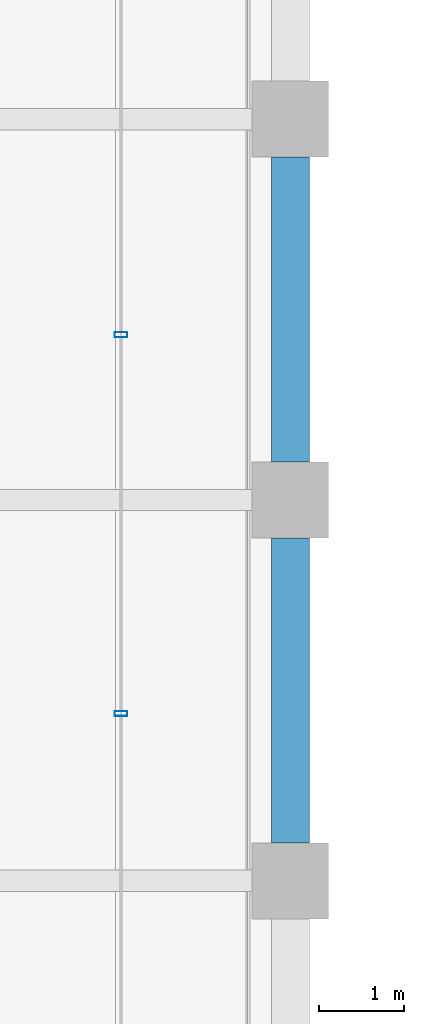
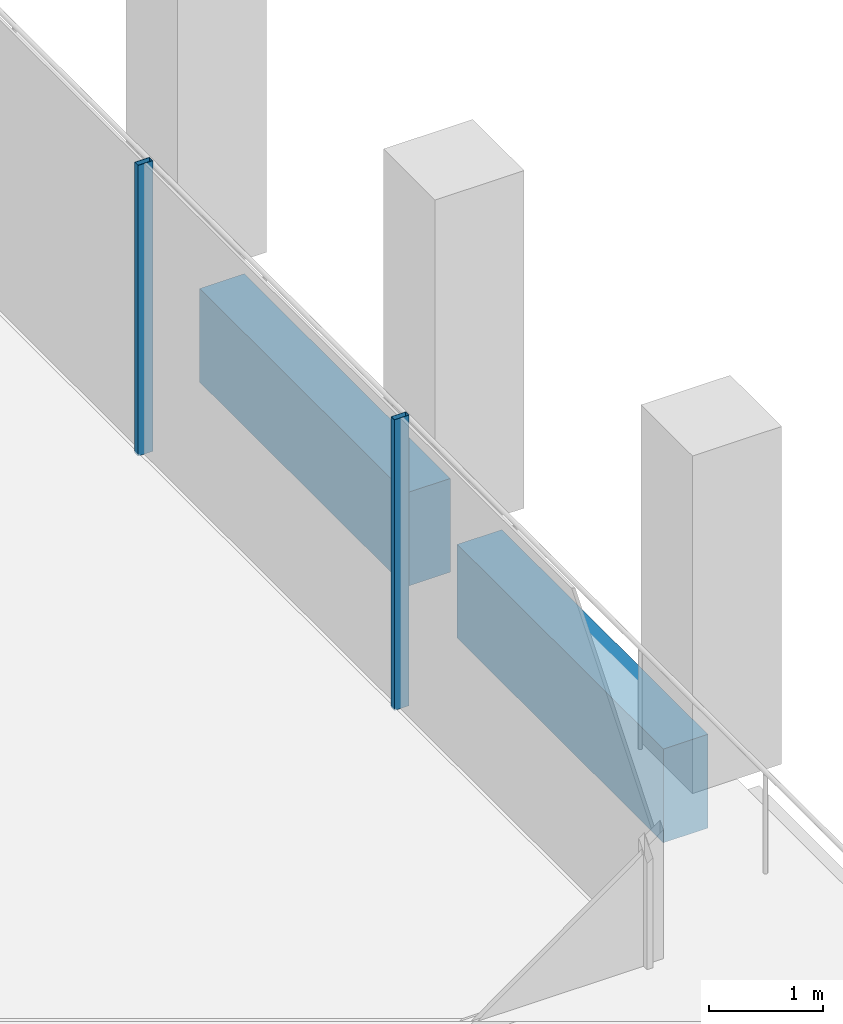
# One storey, part 15 of 40: 2 beams, 2 members, 1 element without a shape of its own.
"""IFC4 building model written with IfcOpenShell, lengths in metres."""

from ifc_helpers import new_model, si_unit, direction, frame, origin, origin_2d, place, context, subcontext, project, spatial, rectangle, hollow_rectangle, extrude, material, material_profile, profile_set, type_object, element, aggregate, save


model = new_model("IFC4")

# Units and contexts
model_context = context("Model", 3, precision=1e-05, world=origin(), true_north=direction((0.0, 1.0)))
body_context = subcontext(model_context, "Body", "Model", "MODEL_VIEW")
ifc_project = project(units=[si_unit("LENGTHUNIT", "METRE"), si_unit("AREAUNIT", "SQUARE_METRE"), si_unit("VOLUMEUNIT", "CUBIC_METRE"), si_unit("PLANEANGLEUNIT", "RADIAN"), si_unit("MASSUNIT", "GRAM", prefix="KILO")], contexts=[model_context])

# Site, building, storey
site_placement = place(None, origin())
site = spatial("IfcSite", under=ifc_project, at=site_placement, CompositionType="ELEMENT")
building_placement = place(site_placement, origin())
building = spatial("IfcBuilding", under=site, at=building_placement, Name="Altepetl Exchange Towers", CompositionType="ELEMENT")
storey_placement = place(building_placement, frame((0.0, 0.0, 172.60009765625)))
storey = spatial("IfcBuildingStorey", under=building, at=storey_placement, Name="L43", CompositionType="ELEMENT", Elevation=172.60009765625)

# Curtain wall, members
ifc_material_1 = material(Name="Aluminium 6063-T6 glazing", Category="aluminium")
curtain_wall_type = type_object("IfcCurtainWallType", Name="Loggia glazing system", PredefinedType="NOTDEFINED", material=ifc_material_1)
curtain_wall_placement = place(storey_placement, origin())
curtain_wall = element("IfcCurtainWall", 1, at=curtain_wall_placement, inside=storey, type_object=curtain_wall_type, Name="CW1 run", PredefinedType="NOTDEFINED")
ifc_material_2 = material(Name="Aluminium 6063-T6", Category="aluminium")
ifc_material_profile_1 = material_profile(ifc_material_2, hollow_rectangle(XDim=0.06005859375, YDim=0.14990234375, WallThickness=0.0029296875, at=origin_2d()), Name="Mullion 60x150 aluminium")
ifc_profile_set_1 = profile_set([ifc_material_profile_1], Name="Aluminium 6063-T6")
member_type = type_object("IfcMemberType", Name="Mullion 60x150 aluminium", PredefinedType="MULLION", material=ifc_profile_set_1)
member_1_placement = place(storey_placement, frame((70.0, 37.97607421875, 0.0), z_axis=(0.0, 0.0, 1.0), x_axis=(0.0, 1.0, 0.0)))
member_1 = element("IfcMember", 2, at=member_1_placement, type_object=member_type, Name="MU1 mullion", PredefinedType="MULLION", context=body_context, shape_type="SweptSolid", body=[
    extrude(hollow_rectangle(XDim=0.06005859375, YDim=0.14990234375, WallThickness=0.0029296875, at=origin_2d()), origin(), (0.0, 0.0, 1.0), 3.099853515625),
])
member_2_placement = place(storey_placement, frame((70.0, 42.451904296875, 0.0), z_axis=(0.0, 0.0, 1.0), x_axis=(0.0, 1.0, 0.0)))
member_2 = element("IfcMember", 3, at=member_2_placement, type_object=member_type, Name="MU1 mullion", PredefinedType="MULLION", context=body_context, shape_type="SweptSolid", body=[
    extrude(hollow_rectangle(XDim=0.06005859375, YDim=0.14990234375, WallThickness=0.0029296875, at=origin_2d()), origin(), (0.0, 0.0, 1.0), 3.099853515625),
])
aggregate(curtain_wall, [member_1, member_2])

# Beams
ifc_material_3 = material(Name="Concrete C50/60 precast with cantera amarilla facing", Category="concrete")
ifc_material_profile_2 = material_profile(ifc_material_3, rectangle(XDim=0.449951171875, YDim=1.0, at=origin_2d()), Name="450 x 1000")
ifc_profile_set_2 = profile_set([ifc_material_profile_2], Name="Concrete C50/60 precast with cantera amarilla facing")
beam_type = type_object("IfcBeamType", Name="Spandrel beam 450x1000 cantera amarilla", PredefinedType="SPANDREL", material=ifc_profile_set_2)
for number, where, z_axis, x_axis, name in (
    (4, (72.0, 36.449951171875, -0.650146484375), (0.0, 1.0, 0.0), (-1.0, 0.0, 0.0), "sp:A:L43:013"),
    (5, (72.0, 40.949951171875, -0.650146484375), (0.0, 1.0, 0.0), (-1.0, 0.0, 0.0), "sp:A:L43:014"),
):
    element("IfcBeam", number, at=place(storey_placement, frame(where, z_axis=z_axis, x_axis=x_axis)), inside=storey, type_object=beam_type, Name=name, PredefinedType="SPANDREL", context=body_context, shape_type="SweptSolid", body=[
        extrude(rectangle(XDim=0.449951171875, YDim=1.0, at=origin_2d()), origin(), (0.0, 0.0, 1.0), 3.60009765625),
    ])

save(model, "model.ifc")
